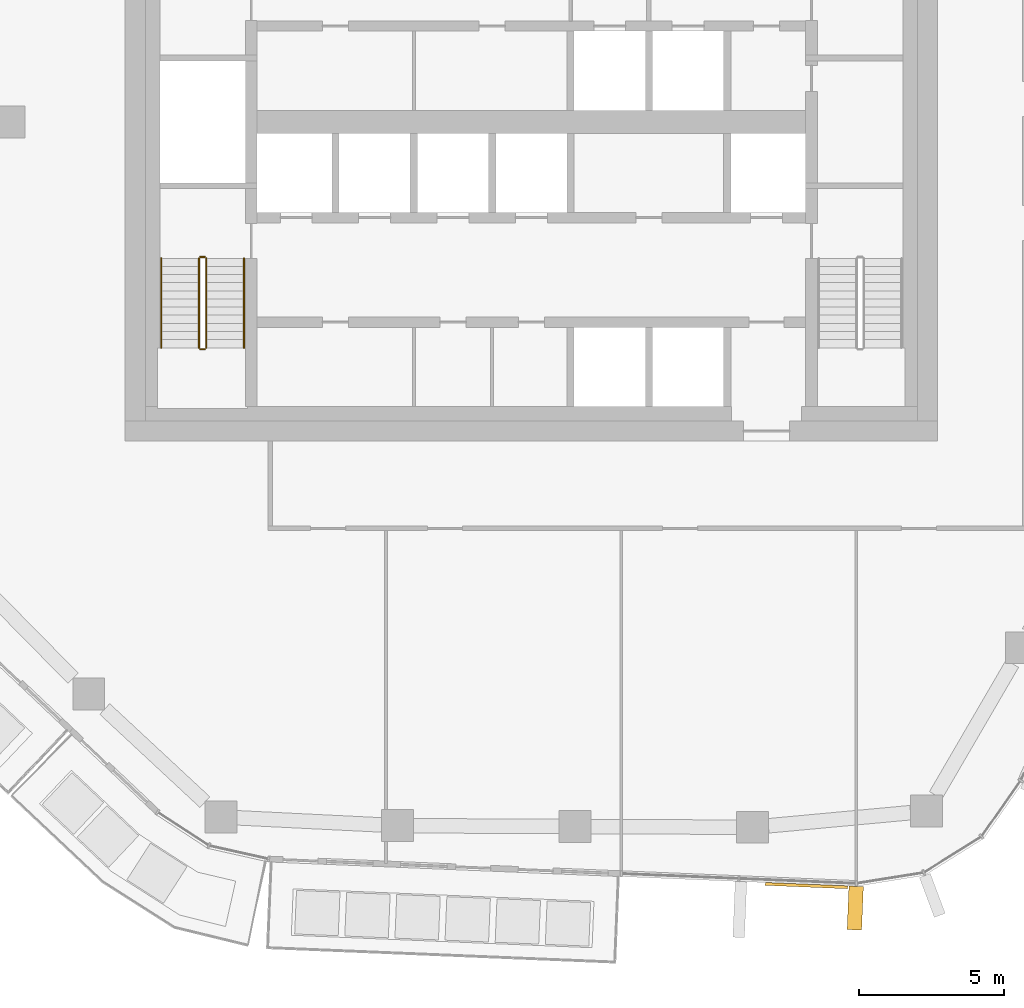
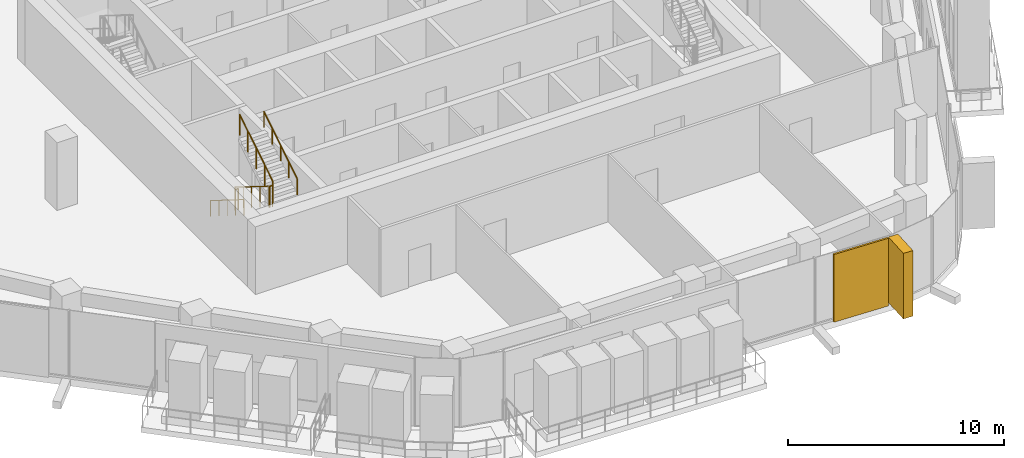
# One storey, part 16 of 20: 6 railings, 2 coverings, 1 element without a shape of its own.
"""IFC4 building model written with IfcOpenShell, lengths in metres."""

import ifcopenshell
import ifcopenshell.guid

model = None  # the IFC model being written
_history = None  # IfcOwnerHistory: only IFC2X3 demands one
_inside = {}  # id of a spatial element -> (the spatial element, [elements in it])
_under = {}  # id of a project, library or spatial element -> (it, [spatial elements below it])
_declared = {}  # id of a project -> (the project, [libraries it declares])
_typed = {}  # id of a type object -> (the type object, [elements of that type])
_made_of = {}  # id of a material, layer set ... -> (it, [elements and type objects made of it])


def new_model(schema):
    """Start an empty IFC model of exactly this schema.

    Asked for "IFC4X3", IfcOpenShell would pick the latest addendum, in which some entities
    have other attributes; the version numbers below select the first issue.
    IFC2X3 requires an IfcOwnerHistory on every rooted entity: one is made here for all.
    """
    global model, _history
    if schema == "IFC4X3":
        model = ifcopenshell.file(schema_version=(4, 3, 0, 0))
    else:
        model = ifcopenshell.file(schema=schema)
    _inside.clear()
    _under.clear()
    _declared.clear()
    _typed.clear()
    _made_of.clear()
    _history = None
    if model.schema == "IFC2X3":
        org = make("IfcOrganization", Name="unknown")
        user = make(
            "IfcPersonAndOrganization",
            ThePerson=make("IfcPerson", FamilyName="unknown"),
            TheOrganization=org,
        )
        app = make(
            "IfcApplication",
            ApplicationDeveloper=org,
            Version="unknown",
            ApplicationFullName="unknown",
            ApplicationIdentifier="unknown",
        )
        _history = make(
            "IfcOwnerHistory",
            OwningUser=user,
            OwningApplication=app,
            ChangeAction="ADDED",
            CreationDate=0,
        )
    return model


def make(cls, **values):
    """One entity of the class cls with the attributes given. An attribute that is None is left unset."""
    return model.create_entity(
        cls, **{name: value for name, value in values.items() if value is not None}
    )


def rooted(cls, **values):
    """An entity with a GlobalId (a new one), such as an element, a storey or a relation."""
    return make(cls, GlobalId=ifcopenshell.guid.new(), OwnerHistory=_history, **values)


def si_unit(unit_type, name, prefix=None):
    """IfcSIUnit, for example si_unit("LENGTHUNIT", "METRE", prefix="MILLI")."""
    return make("IfcSIUnit", UnitType=unit_type, Prefix=prefix, Name=name)


def assignment(units):
    """IfcUnitAssignment: the units of a project."""
    return None if units is None else make("IfcUnitAssignment", Units=units)


def point(xyz):
    """IfcCartesianPoint."""
    return None if xyz is None else make("IfcCartesianPoint", Coordinates=xyz)


def direction(xyz):
    """IfcDirection."""
    return None if xyz is None else make("IfcDirection", DirectionRatios=xyz)


def frame(location, z_axis=None, x_axis=None):
    """IfcAxis2Placement3D, a coordinate frame: its origin and axes. An axis left out is left unset."""
    return make(
        "IfcAxis2Placement3D",
        Location=point(location),
        Axis=direction(z_axis),
        RefDirection=direction(x_axis),
    )


def frame_2d(location, x_axis=None):
    """IfcAxis2Placement2D, a coordinate frame in the plane: its origin and x axis."""
    return make(
        "IfcAxis2Placement2D", Location=point(location), RefDirection=direction(x_axis)
    )


def origin():
    """The frame at (0, 0, 0) with its axes left unset."""
    return frame((0.0, 0.0, 0.0))


def origin_2d():
    """The frame at (0, 0) in the plane with its x axis left unset."""
    return frame_2d((0.0, 0.0))


def place(relative_to, where):
    """IfcLocalPlacement: puts the frame where relative to a parent placement (None: the world)."""
    return make(
        "IfcLocalPlacement", PlacementRelTo=relative_to, RelativePlacement=where
    )


def context(
    kind, dimensions, precision=None, world=None, true_north=None, identifier=None
):
    """IfcGeometricRepresentationContext, for example the 3D "Model" context."""
    return make(
        "IfcGeometricRepresentationContext",
        ContextIdentifier=identifier,
        ContextType=kind,
        CoordinateSpaceDimension=dimensions,
        Precision=precision,
        WorldCoordinateSystem=world,
        TrueNorth=true_north,
    )


def subcontext(parent, identifier, kind, view, scale=None):
    """IfcGeometricRepresentationSubContext, for example "Body" below "Model"."""
    return make(
        "IfcGeometricRepresentationSubContext",
        ContextIdentifier=identifier,
        ContextType=kind,
        ParentContext=parent,
        TargetScale=scale,
        TargetView=view,
    )


def project(units=None, contexts=None):
    """IfcProject with its units and contexts."""
    return rooted(
        "IfcProject",
        Name="project",
        RepresentationContexts=contexts,
        UnitsInContext=assignment(units),
    )


def spatial(cls, under=None, at=None, **own):
    """A site, building, storey or space (cls), placed at a placement, below another one or the project."""
    s = rooted(cls, ObjectPlacement=at, **own)
    if under is not None:
        _under.setdefault(under.id(), (under, []))[1].append(s)
    return s


def profile(cls, at=None, kind="AREA", **sizes):
    """A parametric profile (cls). Its sizes go by their IFC names, for example OverallWidth=200.0."""
    return make(cls, ProfileType=kind, Position=at, **sizes)


def rectangle(**sizes):
    """IfcRectangleProfileDef."""
    return profile("IfcRectangleProfileDef", **sizes)


def circle(**sizes):
    """IfcCircleProfileDef."""
    return profile("IfcCircleProfileDef", **sizes)


def extrude(swept, where, along, depth):
    """IfcExtrudedAreaSolid: the profile swept, set in the frame where, extruded along a direction by depth."""
    return make(
        "IfcExtrudedAreaSolid",
        SweptArea=swept,
        Position=where,
        ExtrudedDirection=direction(along),
        Depth=depth,
    )


def shape(context_of_items, identifier, shape_type, items):
    """IfcShapeRepresentation: the items that make up one representation, for example the "Body"."""
    return make(
        "IfcShapeRepresentation",
        ContextOfItems=context_of_items,
        RepresentationIdentifier=identifier,
        RepresentationType=shape_type,
        Items=items,
    )


def material(Name=None, Category=None):
    """IfcMaterial."""
    return make("IfcMaterial", Name=Name, Category=Category)


def layer(
    of_material, thickness, ventilated=None, Name=None, Category=None, Priority=None
):
    """IfcMaterialLayer: one layer of a wall or slab, of a material (None: an air gap)."""
    return make(
        "IfcMaterialLayer",
        Material=of_material,
        LayerThickness=thickness,
        IsVentilated=ventilated,
        Name=Name,
        Category=Category,
        Priority=Priority,
    )


def layer_set(layers, Name=None):
    """IfcMaterialLayerSet."""
    return make("IfcMaterialLayerSet", MaterialLayers=layers, LayerSetName=Name)


def material_profile(
    of_material, cross_section, Name=None, Category=None, Priority=None
):
    """IfcMaterialProfile: a cross section and its material."""
    return make(
        "IfcMaterialProfile",
        Name=Name,
        Material=of_material,
        Profile=cross_section,
        Priority=Priority,
        Category=Category,
    )


def profile_set(profiles, Name=None, composite=None):
    """IfcMaterialProfileSet."""
    return make(
        "IfcMaterialProfileSet",
        Name=Name,
        MaterialProfiles=profiles,
        CompositeProfile=composite,
    )


def made_of(thing, what):
    """Note that an element or type object is made of a material, layer set ...; save() writes the relation."""
    if what is not None:
        _made_of.setdefault(what.id(), (what, []))[1].append(thing)
    return thing


def type_object(cls, material=None, **own):
    """A type object (cls), such as IfcWallType, which elements share."""
    return made_of(rooted(cls, **own), material)


def element(
    cls,
    number,
    at=None,
    inside=None,
    cuts=None,
    type_object=None,
    material=None,
    context=None,
    identifier="Body",
    shape_type=None,
    held_by="IfcProductDefinitionShape",
    body=None,
    shapes=None,
    **own,
):
    """One element of the class cls, such as IfcWall. Its Tag is "e" and its number.

    at: its placement. inside: the storey or other place that contains it. cuts: it is an
    opening in that element (IfcRelVoidsElement). A single representation is given by context,
    identifier, shape_type and body (its items); several are given by shapes. held_by: the class
    of the entity that holds the representations. save() writes the other relations.
    """
    e = rooted(cls, Tag="e%d" % number, ObjectPlacement=at, **own)
    if body is not None:
        shapes = [shape(context, identifier, shape_type, body)]
    if shapes is not None:
        e.Representation = make(held_by, Representations=shapes)
    if inside is not None:
        _inside.setdefault(inside.id(), (inside, []))[1].append(e)
    if cuts is not None:
        rooted(
            "IfcRelVoidsElement", RelatingBuildingElement=cuts, RelatedOpeningElement=e
        )
    if type_object is not None:
        _typed.setdefault(type_object.id(), (type_object, []))[1].append(e)
    return made_of(e, material)


def aggregate(whole, parts):
    """IfcRelAggregates: a whole, such as a stair, and the parts it consists of."""
    return rooted("IfcRelAggregates", RelatingObject=whole, RelatedObjects=parts)


def save(model, path):
    """Write the relations noted so far, then the file.

    IfcRelAggregates (storeys below a building ...), IfcRelContainedInSpatialStructure (elements
    in a storey), IfcRelDefinesByType, IfcRelAssociatesMaterial and IfcRelDeclares: one each for
    every whole, place, type object, material and project.
    """
    for whole, parts in _under.values():
        aggregate(whole, parts)
    for where, things in _inside.values():
        rooted(
            "IfcRelContainedInSpatialStructure",
            RelatedElements=things,
            RelatingStructure=where,
        )
    for kind, things in _typed.values():
        rooted("IfcRelDefinesByType", RelatedObjects=things, RelatingType=kind)
    for what, things in _made_of.values():
        rooted("IfcRelAssociatesMaterial", RelatedObjects=things, RelatingMaterial=what)
    for by, libraries in _declared.values():
        rooted("IfcRelDeclares", RelatingContext=by, RelatedDefinitions=libraries)
    model.write(path)


model = new_model("IFC4")

# Units and contexts
model_context = context("Model", 3, precision=1e-05, world=origin(), true_north=direction((0.0, 1.0)))
body_context = subcontext(model_context, "Body", "Model", "MODEL_VIEW")
ifc_project = project(units=[si_unit("LENGTHUNIT", "METRE"), si_unit("AREAUNIT", "SQUARE_METRE"), si_unit("VOLUMEUNIT", "CUBIC_METRE"), si_unit("PLANEANGLEUNIT", "RADIAN"), si_unit("MASSUNIT", "GRAM", prefix="KILO")], contexts=[model_context])

# Site, building, storey
site_placement = place(None, origin())
site = spatial("IfcSite", under=ifc_project, at=site_placement, CompositionType="ELEMENT")
building_placement = place(site_placement, origin())
building = spatial("IfcBuilding", under=site, at=building_placement, Name="Dongbaek Canopy Tower", CompositionType="ELEMENT")
storey_placement = place(building_placement, frame((0.0, 0.0, 249.60009765625)))
storey = spatial("IfcBuildingStorey", under=building, at=storey_placement, Name="L52", CompositionType="ELEMENT", Elevation=249.60009765625)

# Curtain wall, coverings
ifc_material_1 = material(Name="Aluminium 6063-T6 pale anodised", Category="aluminium")
ifc_layer_1 = layer(ifc_material_1, 0.199951171875)
ifc_layer_set_1 = layer_set([ifc_layer_1], Name="CW-1 unitised tower curtain wall")
curtain_wall_type = type_object("IfcCurtainWallType", Name="CW-1 unitised tower curtain wall", PredefinedType="NOTDEFINED", material=ifc_layer_set_1)
curtain_wall_placement = place(storey_placement, origin())
curtain_wall = element("IfcCurtainWall", 1, at=curtain_wall_placement, inside=storey, type_object=curtain_wall_type, Name="CW-1 curtain wall F4.1", PredefinedType="NOTDEFINED")
ifc_material_2 = material(Name="Perforated aluminium 6063-T6 pale metal screen", Category="aluminium")
ifc_layer_2 = layer(ifc_material_2, 0.10009765625)
ifc_layer_set_2 = layer_set([ifc_layer_2], Name="Facet screen FS1 100 pale metal")
covering_type_1 = type_object("IfcCoveringType", Name="Facet screen FS1 100 pale metal", PredefinedType="CLADDING", material=ifc_layer_set_2)
covering_1_placement = place(storey_placement, frame((9.477783203125, -26.310302734375, 0.0), z_axis=(0.0, 0.0, 1.0), x_axis=(0.999139269991, -0.041481552066, 0.0)))
covering_1 = element("IfcCovering", 2, at=covering_1_placement, type_object=covering_type_1, Name="Facet screen L52 F4", PredefinedType="CLADDING", context=body_context, shape_type="SweptSolid", body=[
    extrude(rectangle(XDim=2.84326171875, YDim=0.10009765625, at=origin_2d()), origin(), (0.0, 0.0, 1.0), 3.820068359375),
])
ifc_material_3 = material(Name="Aluminium 6063-T6 pale metal fin", Category="aluminium")
ifc_material_profile = material_profile(ifc_material_3, rectangle(XDim=1.5, YDim=0.5, at=origin_2d()), Name="Fin FN1 500 x 1500 pale metal")
ifc_profile_set = profile_set([ifc_material_profile], Name="Aluminium 6063-T6 pale metal fin")
covering_type_2 = type_object("IfcCoveringType", Name="Fin FN1 500 x 1500 pale metal", PredefinedType="CLADDING", material=ifc_profile_set)
covering_2_placement = place(storey_placement, frame((11.158935546875, -27.08447265625, 0.119873046875), z_axis=(0.0, 0.0, 1.0), x_axis=(-0.041481315027, -0.999139279832, 0.0)))
covering_2 = element("IfcCovering", 3, at=covering_2_placement, type_object=covering_type_2, Name="Fin F4.1.3", PredefinedType="CLADDING", context=body_context, shape_type="SweptSolid", body=[
    extrude(rectangle(XDim=1.5, YDim=0.5, at=origin_2d()), origin(), (0.0, 0.0, 1.0), 3.699951171875),
])
aggregate(curtain_wall, [covering_2, covering_1])

# Railings
ifc_material_4 = material(Name="Stainless steel tube and balusters", Category="steel")
railing_type_1 = type_object("IfcRailingType", Name="Stair guard 1200", PredefinedType="GUARDRAIL", material=ifc_material_4)
railing_1_placement = place(storey_placement, frame((-11.449951171875, -4.699951171875, 0.1748046875)))
element("IfcRailing", 4, at=railing_1_placement, inside=storey, type_object=railing_type_1, Name="L52 ST-D stair guard 1", PredefinedType="GUARDRAIL", context=body_context, shape_type="SweptSolid", body=[
    extrude(circle(Radius=0.02392578125, at=origin_2d()), frame((0.0, 0.0, 1.17578125), z_axis=(0.0, -0.847998304005, 0.529998940003), x_axis=(1.0, 0.0, 0.0)), (0.0, 0.0, 1.0), 3.632080078125),
    extrude(circle(Radius=0.02099609375, at=origin_2d()), origin(), (0.0, 0.0, 1.0), 1.15185546875),
    extrude(circle(Radius=0.02099609375, at=origin_2d()), frame((0.0, -0.77001953125, 0.481201171875)), (0.0, 0.0, 1.0), 1.15185546875),
    extrude(circle(Radius=0.02099609375, at=origin_2d()), frame((0.0, -1.5400390625, 0.96240234375)), (0.0, 0.0, 1.0), 1.15185546875),
    extrude(circle(Radius=0.02099609375, at=origin_2d()), frame((0.0, -2.31005859375, 1.44384765625)), (0.0, 0.0, 1.0), 1.15185546875),
    extrude(circle(Radius=0.02099609375, at=origin_2d()), frame((0.0, -3.080078125, 1.925048828125)), (0.0, 0.0, 1.0), 1.15185546875),
])
railing_2_placement = place(storey_placement, frame((-11.39990234375, -7.830078125, 2.099853515625)))
element("IfcRailing", 5, at=railing_2_placement, inside=storey, type_object=railing_type_1, Name="L52 ST-D stair guard 2", PredefinedType="GUARDRAIL", context=body_context, shape_type="SweptSolid", body=[
    extrude(circle(Radius=0.02392578125, at=origin_2d()), frame((0.0, 0.0, 1.17578125), z_axis=(1.0, 0.0, 0.0), x_axis=(0.0, 1.0, 0.0)), (0.0, 0.0, 1.0), 0.14990234375),
    extrude(circle(Radius=0.02099609375, at=origin_2d()), origin(), (0.0, 0.0, 1.0), 1.15185546875),
    extrude(circle(Radius=0.02099609375, at=origin_2d()), frame((0.14990234375, 0.0, 0.0)), (0.0, 0.0, 1.0), 1.15185546875),
])
railing_3_placement = place(storey_placement, frame((-11.199951171875, -7.780029296875, 2.27490234375)))
element("IfcRailing", 6, at=railing_3_placement, inside=storey, type_object=railing_type_1, Name="L52 ST-D stair guard 3", PredefinedType="GUARDRAIL", context=body_context, shape_type="SweptSolid", body=[
    extrude(circle(Radius=0.02392578125, at=origin_2d()), frame((0.0, 0.0, 1.17578125), z_axis=(0.0, 0.847998304005, 0.529998940003), x_axis=(-1.0, 0.0, 0.0)), (0.0, 0.0, 1.0), 3.632080078125),
    extrude(circle(Radius=0.02099609375, at=origin_2d()), origin(), (0.0, 0.0, 1.0), 1.15185546875),
    extrude(circle(Radius=0.02099609375, at=origin_2d()), frame((0.0, 0.77001953125, 0.481201171875)), (0.0, 0.0, 1.0), 1.15185546875),
    extrude(circle(Radius=0.02099609375, at=origin_2d()), frame((0.0, 1.5400390625, 0.96240234375)), (0.0, 0.0, 1.0), 1.15185546875),
    extrude(circle(Radius=0.02099609375, at=origin_2d()), frame((0.0, 2.31005859375, 1.44384765625)), (0.0, 0.0, 1.0), 1.15185546875),
    extrude(circle(Radius=0.02099609375, at=origin_2d()), frame((0.0, 3.080078125, 1.925048828125)), (0.0, 0.0, 1.0), 1.15185546875),
])
railing_4_placement = place(storey_placement, frame((-11.39990234375, -4.64990234375, 0.0)))
element("IfcRailing", 7, at=railing_4_placement, inside=storey, type_object=railing_type_1, Name="L52 ST-D stair guard 4", PredefinedType="GUARDRAIL", context=body_context, shape_type="SweptSolid", body=[
    extrude(circle(Radius=0.02392578125, at=origin_2d()), frame((0.0, 0.0, 1.17578125), z_axis=(1.0, 0.0, 0.0), x_axis=(0.0, 1.0, 0.0)), (0.0, 0.0, 1.0), 0.14990234375),
    extrude(circle(Radius=0.02099609375, at=origin_2d()), origin(), (0.0, 0.0, 1.0), 1.15185546875),
    extrude(circle(Radius=0.02099609375, at=origin_2d()), frame((0.14990234375, 0.0, 0.0)), (0.0, 0.0, 1.0), 1.15185546875),
])
ifc_material_5 = material(Name="Stainless steel tube", Category="steel")
railing_type_2 = type_object("IfcRailingType", Name="Stair handrail 900", PredefinedType="HANDRAIL", material=ifc_material_5)
railing_5_placement = place(storey_placement, frame((-12.75, -4.699951171875, 0.1748046875)))
element("IfcRailing", 8, at=railing_5_placement, inside=storey, type_object=railing_type_2, Name="L52 ST-D stair handrail 1", PredefinedType="HANDRAIL", context=body_context, shape_type="SweptSolid", body=[
    extrude(circle(Radius=0.02392578125, at=origin_2d()), frame((0.0, 0.0, 0.8759765625), z_axis=(0.0, -0.847998304005, 0.529998940003), x_axis=(1.0, 0.0, 0.0)), (0.0, 0.0, 1.0), 3.632080078125),
    extrude(circle(Radius=0.02099609375, at=origin_2d()), origin(), (0.0, 0.0, 1.0), 0.851806640625),
    extrude(circle(Radius=0.02099609375, at=origin_2d()), frame((0.0, -0.77001953125, 0.481201171875)), (0.0, 0.0, 1.0), 0.851806640625),
    extrude(circle(Radius=0.02099609375, at=origin_2d()), frame((0.0, -1.5400390625, 0.96240234375)), (0.0, 0.0, 1.0), 0.851806640625),
    extrude(circle(Radius=0.02099609375, at=origin_2d()), frame((0.0, -2.31005859375, 1.44384765625)), (0.0, 0.0, 1.0), 0.851806640625),
    extrude(circle(Radius=0.02099609375, at=origin_2d()), frame((0.0, -3.080078125, 1.925048828125)), (0.0, 0.0, 1.0), 0.851806640625),
])
railing_6_placement = place(storey_placement, frame((-9.89990234375, -7.780029296875, 2.27490234375)))
element("IfcRailing", 9, at=railing_6_placement, inside=storey, type_object=railing_type_2, Name="L52 ST-D stair handrail 2", PredefinedType="HANDRAIL", context=body_context, shape_type="SweptSolid", body=[
    extrude(circle(Radius=0.02392578125, at=origin_2d()), frame((0.0, 0.0, 0.8759765625), z_axis=(0.0, 0.847998304005, 0.529998940003), x_axis=(-1.0, 0.0, 0.0)), (0.0, 0.0, 1.0), 3.632080078125),
    extrude(circle(Radius=0.02099609375, at=origin_2d()), origin(), (0.0, 0.0, 1.0), 0.851806640625),
    extrude(circle(Radius=0.02099609375, at=origin_2d()), frame((0.0, 0.77001953125, 0.481201171875)), (0.0, 0.0, 1.0), 0.851806640625),
    extrude(circle(Radius=0.02099609375, at=origin_2d()), frame((0.0, 1.5400390625, 0.96240234375)), (0.0, 0.0, 1.0), 0.851806640625),
    extrude(circle(Radius=0.02099609375, at=origin_2d()), frame((0.0, 2.31005859375, 1.44384765625)), (0.0, 0.0, 1.0), 0.851806640625),
    extrude(circle(Radius=0.02099609375, at=origin_2d()), frame((0.0, 3.080078125, 1.925048828125)), (0.0, 0.0, 1.0), 0.851806640625),
])

save(model, "model.ifc")
